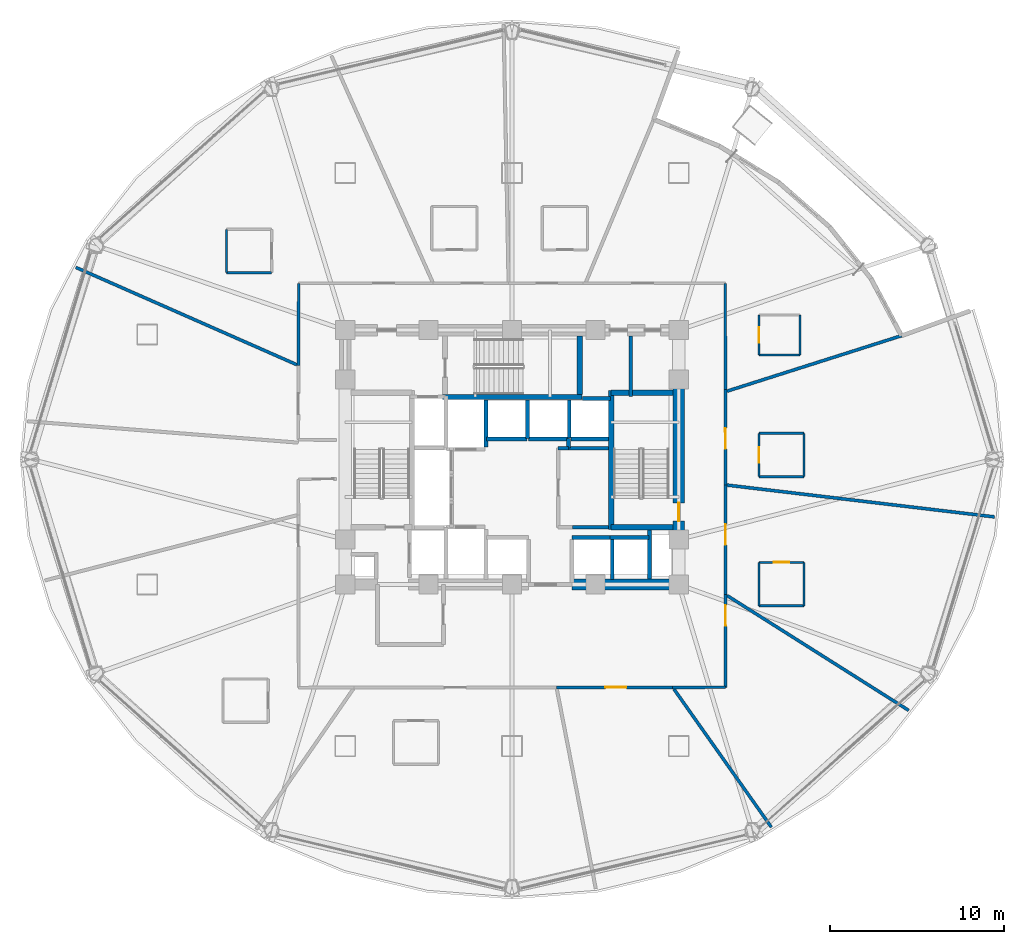
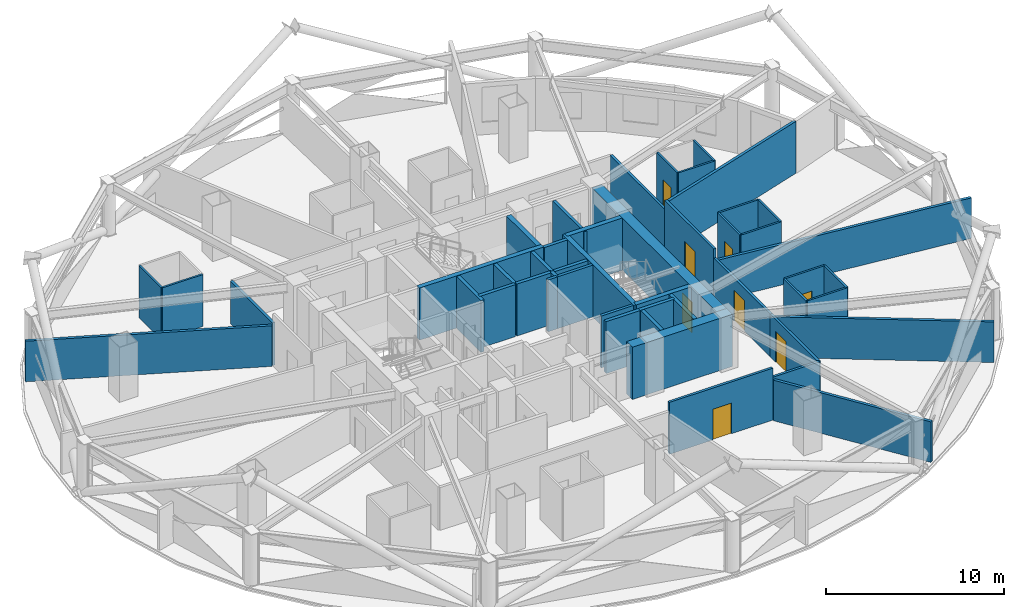
# One storey, part 26 of 33: 48 walls, 8 doors, 8 openings.
"""IFC4 building model written with IfcOpenShell, lengths in metres."""

from ifc_helpers import new_model, si_unit, direction, frame, frame_2d, origin, place, context, subcontext, project, spatial, rectangle, extrude, material, layer, layer_set, type_object, element, fill, save


model = new_model("IFC4")

# Units and contexts
model_context = context("Model", 3, precision=1e-05, world=origin(), true_north=direction((0.0, 1.0)))
body_context = subcontext(model_context, "Body", "Model", "MODEL_VIEW")
ifc_project = project(units=[si_unit("LENGTHUNIT", "METRE"), si_unit("AREAUNIT", "SQUARE_METRE"), si_unit("VOLUMEUNIT", "CUBIC_METRE"), si_unit("PLANEANGLEUNIT", "RADIAN"), si_unit("MASSUNIT", "GRAM", prefix="KILO")], contexts=[model_context])

# Site, building, storey
site_placement = place(None, origin())
site = spatial("IfcSite", under=ifc_project, at=site_placement, CompositionType="ELEMENT")
building_placement = place(site_placement, origin())
building = spatial("IfcBuilding", under=site, at=building_placement, Name="Vantalir Tower", CompositionType="ELEMENT")
storey_placement = place(building_placement, frame((0.0, 0.0, 72.0)))
storey = spatial("IfcBuildingStorey", under=building, at=storey_placement, Name="L17", CompositionType="ELEMENT", Elevation=72.0)

# Wall
ifc_material_1 = material(Name="Moisture-resistant en-suite partition", Category="gypsum")
ifc_layer_1 = layer(ifc_material_1, 0.125)
ifc_layer_set_1 = layer_set([ifc_layer_1], Name="Moisture-resistant en-suite partition")
wall_type_1 = type_object("IfcWallType", Name="WL-BATH-125", PredefinedType="PARTITIONING", material=ifc_layer_set_1)
wall_1_placement = place(storey_placement, frame((45.721923828125, 31.02392578125, 0.0), z_axis=(0.0, 0.0, 1.0), x_axis=(1.0, 0.0, 0.0)))
element("IfcWall", 1, at=wall_1_placement, inside=storey, type_object=wall_type_1, Name="L17 En-suite 01 South Wall", PredefinedType="PARTITIONING", context=body_context, shape_type="SweptSolid", body=[
    extrude(rectangle(XDim=2.35009765625, YDim=0.125, at=frame_2d((1.175048828125, 0.0))), origin(), (0.0, 0.0, 1.0), 3.550048828125),
])

# Wall, opening, door
wall_2_placement = place(storey_placement, frame((45.721923828125, 31.02392578125, 0.0), z_axis=(0.0, 0.0, 1.0), x_axis=(0.0, 1.0, 0.0)))
wall_2 = element("IfcWall", 2, at=wall_2_placement, inside=storey, type_object=wall_type_1, Name="L17 En-suite 01 West Wall", PredefinedType="PARTITIONING", context=body_context, shape_type="SweptSolid", body=[
    extrude(rectangle(XDim=2.300048828125, YDim=0.125, at=frame_2d((1.14990234375, 0.0))), origin(), (0.0, 0.0, 1.0), 3.550048828125),
])
opening_1_placement = place(wall_2_placement, frame((0.699951171875, 0.0, 0.0)))
opening_1 = element("IfcOpeningElement", 3, at=opening_1_placement, cuts=wall_2, Name="Opening D-WC", PredefinedType="OPENING", context=body_context, shape_type="SweptSolid", body=[
    extrude(rectangle(XDim=0.89990234375, YDim=2.10009765625, at=frame_2d((0.449951171875, 1.050048828125))), frame((0.0, 0.072509765625, 0.0), z_axis=(0.0, -1.0, 0.0), x_axis=(1.0, 0.0, 0.0)), (0.0, 0.0, 1.0), 0.14501953125),
])
ifc_material_2 = material(Name="Moisture-resistant hardwood door", Category="wood")
door_type_1 = type_object("IfcDoorType", Name="DR-ENSUITE-900", OperationType="NOTDEFINED", PredefinedType="DOOR", material=ifc_material_2)
door_1_placement = place(opening_1_placement, frame((0.89990234375, 0.0, 0.0), z_axis=(0.0, 0.0, 1.0), x_axis=(-1.0, 0.0, 0.0)))
door_1 = element("IfcDoor", 4, at=door_1_placement, inside=storey, type_object=door_type_1, Name="L17 En-suite 01 Door", OperationType="SINGLE_SWING_LEFT", OverallHeight=2.10009765625, OverallWidth=0.89990234375, PredefinedType="DOOR", context=body_context, shape_type="SweptSolid", body=[
    extrude(rectangle(XDim=0.89990234375, YDim=2.10009765625, at=frame_2d((0.449951171875, 1.050048828125))), frame((0.0, 0.02490234375, 0.0), z_axis=(0.0, -1.0, 0.0), x_axis=(1.0, 0.0, 0.0)), (0.0, 0.0, 1.0), 0.050048828125),
])
fill(opening_1, door_1)

# Walls
wall_3_placement = place(storey_placement, frame((48.072021484375, 31.02392578125, 0.0), z_axis=(0.0, 0.0, 1.0), x_axis=(0.0, 1.0, 0.0)))
element("IfcWall", 5, at=wall_3_placement, inside=storey, type_object=wall_type_1, Name="L17 En-suite 01 East Wall", PredefinedType="PARTITIONING", context=body_context, shape_type="SweptSolid", body=[
    extrude(rectangle(XDim=2.300048828125, YDim=0.125, at=frame_2d((1.14990234375, 0.0))), origin(), (0.0, 0.0, 1.0), 3.550048828125),
])
wall_4_placement = place(storey_placement, frame((15.06591796875, 35.7548828125, 0.0), z_axis=(0.0, 0.0, 1.0), x_axis=(1.0, 0.0, 0.0)))
element("IfcWall", 6, at=wall_4_placement, inside=storey, type_object=wall_type_1, Name="L17 En-suite 04 South Wall", PredefinedType="PARTITIONING", context=body_context, shape_type="SweptSolid", body=[
    extrude(rectangle(XDim=2.60009765625, YDim=0.125, at=frame_2d((1.300048828125, 0.0))), origin(), (0.0, 0.0, 1.0), 3.550048828125),
])
wall_5_placement = place(storey_placement, frame((15.06591796875, 35.7548828125, 0.0), z_axis=(0.0, 0.0, 1.0), x_axis=(0.0, 1.0, 0.0)))
element("IfcWall", 7, at=wall_5_placement, inside=storey, type_object=wall_type_1, Name="L17 En-suite 04 West Wall", PredefinedType="PARTITIONING", context=body_context, shape_type="SweptSolid", body=[
    extrude(rectangle(XDim=2.5, YDim=0.125, at=frame_2d((1.25, 0.0))), origin(), (0.0, 0.0, 1.0), 3.550048828125),
])
wall_6_placement = place(storey_placement, frame((45.7109375, 16.5791015625, 0.0), z_axis=(0.0, 0.0, 1.0), x_axis=(1.0, 0.0, 0.0)))
element("IfcWall", 8, at=wall_6_placement, inside=storey, type_object=wall_type_1, Name="L17 En-suite 11 South Wall", PredefinedType="PARTITIONING", context=body_context, shape_type="SweptSolid", body=[
    extrude(rectangle(XDim=2.60009765625, YDim=0.125, at=frame_2d((1.300048828125, 0.0))), origin(), (0.0, 0.0, 1.0), 3.550048828125),
])

# Wall, opening, door
wall_7_placement = place(storey_placement, frame((45.7109375, 19.0791015625, 0.0), z_axis=(0.0, 0.0, 1.0), x_axis=(1.0, 0.0, 0.0)))
wall_7 = element("IfcWall", 9, at=wall_7_placement, inside=storey, type_object=wall_type_1, Name="L17 En-suite 11 North Wall", PredefinedType="PARTITIONING", context=body_context, shape_type="SweptSolid", body=[
    extrude(rectangle(XDim=2.60009765625, YDim=0.125, at=frame_2d((1.300048828125, 0.0))), origin(), (0.0, 0.0, 1.0), 3.550048828125),
])
opening_2_placement = place(wall_7_placement, frame((0.85009765625, 0.0, 0.0)))
opening_2 = element("IfcOpeningElement", 10, at=opening_2_placement, cuts=wall_7, Name="Opening D-WC", PredefinedType="OPENING", context=body_context, shape_type="SweptSolid", body=[
    extrude(rectangle(XDim=0.89990234375, YDim=2.10009765625, at=frame_2d((0.449951171875, 1.050048828125))), frame((0.0, 0.072509765625, 0.0), z_axis=(0.0, -1.0, 0.0), x_axis=(1.0, 0.0, 0.0)), (0.0, 0.0, 1.0), 0.14501953125),
])
door_2_placement = place(opening_2_placement, frame((0.89990234375, 0.0, 0.0), z_axis=(0.0, 0.0, 1.0), x_axis=(-1.0, 0.0, 0.0)))
door_2 = element("IfcDoor", 11, at=door_2_placement, inside=storey, type_object=door_type_1, Name="L17 En-suite 11 Door", OperationType="SINGLE_SWING_LEFT", OverallHeight=2.10009765625, OverallWidth=0.89990234375, PredefinedType="DOOR", context=body_context, shape_type="SweptSolid", body=[
    extrude(rectangle(XDim=0.89990234375, YDim=2.10009765625, at=frame_2d((0.449951171875, 1.050048828125))), frame((0.0, 0.02490234375, 0.0), z_axis=(0.0, -1.0, 0.0), x_axis=(1.0, 0.0, 0.0)), (0.0, 0.0, 1.0), 0.050048828125),
])
fill(opening_2, door_2)

# Walls
for number, where, z_axis, x_axis, name in (
    (12, (45.7109375, 16.5791015625, 0.0), (0.0, 0.0, 1.0), (0.0, 1.0, 0.0), "L17 En-suite 11 West Wall"),
    (13, (48.31103515625, 16.5791015625, 0.0), (0.0, 0.0, 1.0), (0.0, 1.0, 0.0), "L17 En-suite 11 East Wall"),
):
    element("IfcWall", number, at=place(storey_placement, frame(where, z_axis=z_axis, x_axis=x_axis)), inside=storey, type_object=wall_type_1, Name=name, PredefinedType="PARTITIONING", context=body_context, shape_type="SweptSolid", body=[
        extrude(rectangle(XDim=2.5, YDim=0.125, at=frame_2d((1.25, 0.0))), origin(), (0.0, 0.0, 1.0), 3.550048828125),
    ])
for number, where, z_axis, x_axis, name in (
    (14, (45.717041015625, 24.010986328125, 0.0), (0.0, 0.0, 1.0), (1.0, 0.0, 0.0), "L17 En-suite 12 South Wall"),
    (15, (45.717041015625, 26.510986328125, 0.0), (0.0, 0.0, 1.0), (1.0, 0.0, 0.0), "L17 En-suite 12 North Wall"),
):
    element("IfcWall", number, at=place(storey_placement, frame(where, z_axis=z_axis, x_axis=x_axis)), inside=storey, type_object=wall_type_1, Name=name, PredefinedType="PARTITIONING", context=body_context, shape_type="SweptSolid", body=[
        extrude(rectangle(XDim=2.599853515625, YDim=0.125, at=frame_2d((1.2998046875, 0.0))), origin(), (0.0, 0.0, 1.0), 3.550048828125),
    ])

# Wall, opening, door
wall_8_placement = place(storey_placement, frame((45.717041015625, 24.010986328125, 0.0), z_axis=(0.0, 0.0, 1.0), x_axis=(0.0, 1.0, 0.0)))
wall_8 = element("IfcWall", 16, at=wall_8_placement, inside=storey, type_object=wall_type_1, Name="L17 En-suite 12 West Wall", PredefinedType="PARTITIONING", context=body_context, shape_type="SweptSolid", body=[
    extrude(rectangle(XDim=2.5, YDim=0.125, at=frame_2d((1.25, 0.0))), origin(), (0.0, 0.0, 1.0), 3.550048828125),
])
opening_3_placement = place(wall_8_placement, frame((0.800048828125, 0.0, 0.0)))
opening_3 = element("IfcOpeningElement", 17, at=opening_3_placement, cuts=wall_8, Name="Opening D-WC", PredefinedType="OPENING", context=body_context, shape_type="SweptSolid", body=[
    extrude(rectangle(XDim=0.89990234375, YDim=2.10009765625, at=frame_2d((0.449951171875, 1.050048828125))), frame((0.0, 0.072509765625, 0.0), z_axis=(0.0, -1.0, 0.0), x_axis=(1.0, 0.0, 0.0)), (0.0, 0.0, 1.0), 0.14501953125),
])
door_3_placement = place(opening_3_placement, frame((0.89990234375, 0.0, 0.0), z_axis=(0.0, 0.0, 1.0), x_axis=(-1.0, 0.0, 0.0)))
door_3 = element("IfcDoor", 18, at=door_3_placement, inside=storey, type_object=door_type_1, Name="L17 En-suite 12 Door", OperationType="SINGLE_SWING_RIGHT", OverallHeight=2.10009765625, OverallWidth=0.89990234375, PredefinedType="DOOR", context=body_context, shape_type="SweptSolid", body=[
    extrude(rectangle(XDim=0.89990234375, YDim=2.10009765625, at=frame_2d((0.449951171875, 1.050048828125))), frame((0.0, 0.02490234375, 0.0), z_axis=(0.0, -1.0, 0.0), x_axis=(1.0, 0.0, 0.0)), (0.0, 0.0, 1.0), 0.050048828125),
])
fill(opening_3, door_3)

# Walls
wall_9_placement = place(storey_placement, frame((48.31689453125, 24.010986328125, 0.0), z_axis=(0.0, 0.0, 1.0), x_axis=(0.0, 1.0, 0.0)))
element("IfcWall", 19, at=wall_9_placement, inside=storey, type_object=wall_type_1, Name="L17 En-suite 12 East Wall", PredefinedType="PARTITIONING", context=body_context, shape_type="SweptSolid", body=[
    extrude(rectangle(XDim=2.5, YDim=0.125, at=frame_2d((1.25, 0.0))), origin(), (0.0, 0.0, 1.0), 3.550048828125),
])
ifc_material_3 = material(Name="Concrete C60/75", Category="concrete")
ifc_layer_2 = layer(ifc_material_3, 0.64990234375)
ifc_layer_set_2 = layer_set([ifc_layer_2], Name="Concrete C60/75")
wall_type_2 = type_object("IfcWallType", Name="WL-CORE-650", PredefinedType="SHEAR", material=ifc_layer_set_2)
wall_10_placement = place(storey_placement, frame((34.949951171875, 17.800048828125, 0.0), z_axis=(0.0, 0.0, 1.0), x_axis=(1.0, 0.0, 0.0)))
element("IfcWall", 20, at=wall_10_placement, inside=storey, type_object=wall_type_2, Name="L17 Core Shear Wall South-East", PredefinedType="SHEAR", context=body_context, shape_type="SweptSolid", body=[
    extrude(rectangle(XDim=6.47509765625, YDim=0.64990234375, at=frame_2d((3.237548828125, 0.0))), origin(), (0.0, 0.0, 1.0), 3.570068359375),
])

# Wall, opening, door
wall_11_placement = place(storey_placement, frame((41.10009765625, 18.125, 0.0), z_axis=(0.0, 0.0, 1.0), x_axis=(0.0, 1.0, 0.0)))
wall_11 = element("IfcWall", 21, at=wall_11_placement, inside=storey, type_object=wall_type_2, Name="L17 Core Shear Wall East", PredefinedType="SHEAR", context=body_context, shape_type="SweptSolid", body=[
    extrude(rectangle(XDim=14.0, YDim=0.64990234375, at=frame_2d((7.0, 0.0))), origin(), (0.0, 0.0, 1.0), 3.570068359375),
])
opening_4_placement = place(wall_11_placement, frame((3.3349609375, 0.0, 0.0)))
opening_4 = element("IfcOpeningElement", 22, at=opening_4_placement, cuts=wall_11, Name="Opening D-ST", PredefinedType="OPENING", context=body_context, shape_type="SweptSolid", body=[
    extrude(rectangle(XDim=1.050048828125, YDim=2.10009765625, at=frame_2d((0.52490234375, 1.050048828125))), frame((0.0, 0.3349609375, 0.0), z_axis=(0.0, -1.0, 0.0), x_axis=(1.0, 0.0, 0.0)), (0.0, 0.0, 1.0), 0.669921875),
])
ifc_material_4 = material(Name="Fire-rated steel door leaf", Category="steel")
door_type_2 = type_object("IfcDoorType", Name="DR-FIRE-STAIR-1050", OperationType="NOTDEFINED", PredefinedType="DOOR", material=ifc_material_4)
door_4_placement = place(opening_4_placement, origin())
door_4 = element("IfcDoor", 23, at=door_4_placement, inside=storey, type_object=door_type_2, Name="L17 Exit Stair ST2 Fire Door", OperationType="SINGLE_SWING_LEFT", OverallHeight=2.10009765625, OverallWidth=1.050048828125, PredefinedType="DOOR", context=body_context, shape_type="SweptSolid", body=[
    extrude(rectangle(XDim=1.050048828125, YDim=2.10009765625, at=frame_2d((0.52490234375, 1.050048828125))), frame((0.0, 0.02490234375, 0.0), z_axis=(0.0, -1.0, 0.0), x_axis=(1.0, 0.0, 0.0)), (0.0, 0.0, 1.0), 0.050048828125),
])
fill(opening_4, door_4)

# Walls
ifc_material_5 = material(Name="Fire-rated hotel corridor acoustic partition", Category="gypsum")
ifc_layer_3 = layer(ifc_material_5, 0.159912109375)
ifc_layer_set_3 = layer_set([ifc_layer_3], Name="Fire-rated hotel corridor acoustic partition")
wall_type_3 = type_object("IfcWallType", Name="WL-CORR-160", PredefinedType="PARTITIONING", material=ifc_layer_set_3)
wall_12_placement = place(storey_placement, frame((19.2080078125, 30.4150390625, 0.0), z_axis=(0.0, 0.0, 1.0), x_axis=(0.002321256513, 0.99999730588, 0.0)))
element("IfcWall", 24, at=wall_12_placement, inside=storey, type_object=wall_type_3, Name="L17 Corridor Partition 03", PredefinedType="PARTITIONING", context=body_context, shape_type="SweptSolid", body=[
    extrude(rectangle(XDim=4.73291015625, YDim=0.159912109375, at=frame_2d((2.366455078125, 0.0))), origin(), (0.0, 0.0, 1.0), 2.927978515625),
])
wall_13_placement = place(storey_placement, frame((43.781005859375, 35.14794921875, 0.0), z_axis=(0.0, 0.0, 1.0), x_axis=(0.000799296364, -0.999999680563, 0.0)))
element("IfcWall", 25, at=wall_13_placement, inside=storey, type_object=wall_type_3, Name="L17 Corridor Partition 08", PredefinedType="PARTITIONING", context=body_context, shape_type="SweptSolid", body=[
    extrude(rectangle(XDim=6.10888671875, YDim=0.159912109375, at=frame_2d((3.054443359375, 0.0))), origin(), (0.0, 0.0, 1.0), 2.927978515625),
])

# Wall, opening, door
wall_14_placement = place(storey_placement, frame((43.785888671875, 29.0390625, 0.0), z_axis=(0.0, 0.0, 1.0), x_axis=(0.000754616262, -0.999999715277, 0.0)))
wall_14 = element("IfcWall", 26, at=wall_14_placement, inside=storey, type_object=wall_type_3, Name="L17 Corridor Partition 09", PredefinedType="PARTITIONING", context=body_context, shape_type="SweptSolid", body=[
    extrude(rectangle(XDim=5.5, YDim=0.159912109375, at=frame_2d((2.75, 0.0))), origin(), (0.0, 0.0, 1.0), 3.550048828125),
])
opening_5_placement = place(wall_14_placement, frame((2.22412109375, 0.0, 0.0)))
opening_5 = element("IfcOpeningElement", 27, at=opening_5_placement, cuts=wall_14, Name="Opening D-STE", PredefinedType="OPENING", context=body_context, shape_type="SweptSolid", body=[
    extrude(rectangle(XDim=1.199951171875, YDim=2.10009765625, at=frame_2d((0.60009765625, 1.050048828125))), frame((0.0, 0.08984375, 0.0), z_axis=(0.0, -1.0, 0.0), x_axis=(1.0, 0.0, 0.0)), (0.0, 0.0, 1.0), 0.179931640625),
])
ifc_material_6 = material(Name="Solid-core teak veneer suite entrance door", Category="wood")
door_type_3 = type_object("IfcDoorType", Name="DR-SUITE-ENTRY-1200", OperationType="NOTDEFINED", PredefinedType="DOOR", material=ifc_material_6)
door_5_placement = place(opening_5_placement, origin())
door_5 = element("IfcDoor", 28, at=door_5_placement, inside=storey, type_object=door_type_3, Name="L17 Corner Panorama Hotel Suite 12 Door", OperationType="SINGLE_SWING_RIGHT", OverallHeight=2.10009765625, OverallWidth=1.199951171875, PredefinedType="DOOR", context=body_context, shape_type="SweptSolid", body=[
    extrude(rectangle(XDim=1.199951171875, YDim=2.10009765625, at=frame_2d((0.60009765625, 1.050048828125))), frame((0.0, 0.02490234375, 0.0), z_axis=(0.0, -1.0, 0.0), x_axis=(1.0, 0.0, 0.0)), (0.0, 0.0, 1.0), 0.050048828125),
])
fill(opening_5, door_5)

wall_15_placement = place(storey_placement, frame((43.7900390625, 23.5390625, 0.0), z_axis=(0.0, 0.0, 1.0), x_axis=(0.000618668198, -0.999999808625, 0.0)))
wall_15 = element("IfcWall", 29, at=wall_15_placement, inside=storey, type_object=wall_type_3, Name="L17 Corridor Partition 10", PredefinedType="PARTITIONING", context=body_context, shape_type="SweptSolid", body=[
    extrude(rectangle(XDim=6.31396484375, YDim=0.159912109375, at=frame_2d((3.156982421875, 0.0))), origin(), (0.0, 0.0, 1.0), 2.927978515625),
])
opening_6_placement = place(wall_15_placement, frame((2.257080078125, 0.0, 0.0)))
opening_6 = element("IfcOpeningElement", 30, at=opening_6_placement, cuts=wall_15, Name="Opening D-STE", PredefinedType="OPENING", context=body_context, shape_type="SweptSolid", body=[
    extrude(rectangle(XDim=1.199951171875, YDim=2.10009765625, at=frame_2d((0.60009765625, 1.050048828125))), frame((0.0, 0.08984375, 0.0), z_axis=(0.0, -1.0, 0.0), x_axis=(1.0, 0.0, 0.0)), (0.0, 0.0, 1.0), 0.179931640625),
])
door_6_placement = place(opening_6_placement, origin())
door_6 = element("IfcDoor", 31, at=door_6_placement, inside=storey, type_object=door_type_3, Name="L17 Corner Panorama Hotel Suite 11 Door", OperationType="SINGLE_SWING_LEFT", OverallHeight=2.10009765625, OverallWidth=1.199951171875, PredefinedType="DOOR", context=body_context, shape_type="SweptSolid", body=[
    extrude(rectangle(XDim=1.199951171875, YDim=2.10009765625, at=frame_2d((0.60009765625, 1.050048828125))), frame((0.0, 0.02490234375, 0.0), z_axis=(0.0, -1.0, 0.0), x_axis=(1.0, 0.0, 0.0)), (0.0, 0.0, 1.0), 0.050048828125),
])
fill(opening_6, door_6)

wall_16_placement = place(storey_placement, frame((43.7939453125, 17.22509765625, 0.0), z_axis=(0.0, 0.0, 1.0), x_axis=(0.000777071576, -0.99999969808, 0.0)))
wall_16 = element("IfcWall", 32, at=wall_16_placement, inside=storey, type_object=wall_type_3, Name="L17 Corridor Partition 11", PredefinedType="PARTITIONING", context=body_context, shape_type="SweptSolid", body=[
    extrude(rectangle(XDim=5.341064453125, YDim=0.159912109375, at=frame_2d((2.67041015625, 0.0))), origin(), (0.0, 0.0, 1.0), 2.927978515625),
])
opening_7_placement = place(wall_16_placement, frame((0.60107421875, 0.0, 0.0)))
opening_7 = element("IfcOpeningElement", 33, at=opening_7_placement, cuts=wall_16, Name="Opening D-STE", PredefinedType="OPENING", context=body_context, shape_type="SweptSolid", body=[
    extrude(rectangle(XDim=1.199951171875, YDim=2.10009765625, at=frame_2d((0.60009765625, 1.050048828125))), frame((0.0, 0.08984375, 0.0), z_axis=(0.0, -1.0, 0.0), x_axis=(1.0, 0.0, 0.0)), (0.0, 0.0, 1.0), 0.179931640625),
])
door_7_placement = place(opening_7_placement, origin())
door_7 = element("IfcDoor", 34, at=door_7_placement, inside=storey, type_object=door_type_3, Name="L17 Executive Sky Boardroom 10 Door", OperationType="SINGLE_SWING_RIGHT", OverallHeight=2.10009765625, OverallWidth=1.199951171875, PredefinedType="DOOR", context=body_context, shape_type="SweptSolid", body=[
    extrude(rectangle(XDim=1.199951171875, YDim=2.10009765625, at=frame_2d((0.60009765625, 1.050048828125))), frame((0.0, 0.02490234375, 0.0), z_axis=(0.0, -1.0, 0.0), x_axis=(1.0, 0.0, 0.0)), (0.0, 0.0, 1.0), 0.050048828125),
])
fill(opening_7, door_7)

# Wall
wall_17_placement = place(storey_placement, frame((43.798095703125, 11.884033203125, 0.0), z_axis=(0.0, 0.0, 1.0), x_axis=(-0.999999794312, -0.000641385261, 0.0)))
element("IfcWall", 35, at=wall_17_placement, inside=storey, type_object=wall_type_3, Name="L17 Corridor Partition 12", PredefinedType="PARTITIONING", context=body_context, shape_type="SweptSolid", body=[
    extrude(rectangle(XDim=3.045166015625, YDim=0.159912109375, at=frame_2d((1.5224609375, 0.0))), origin(), (0.0, 0.0, 1.0), 2.927978515625),
])

# Wall, opening, door
wall_18_placement = place(storey_placement, frame((40.7529296875, 11.882080078125, 0.0), z_axis=(0.0, 0.0, 1.0), x_axis=(-0.999999706426, -0.00076625534, 0.0)))
wall_18 = element("IfcWall", 36, at=wall_18_placement, inside=storey, type_object=wall_type_3, Name="L17 Corridor Partition 13", PredefinedType="PARTITIONING", context=body_context, shape_type="SweptSolid", body=[
    extrude(rectangle(XDim=6.69091796875, YDim=0.159912109375, at=frame_2d((3.345458984375, 0.0))), origin(), (0.0, 0.0, 1.0), 3.550048828125),
])
opening_8_placement = place(wall_18_placement, frame((2.672119140625, 0.0, 0.0)))
opening_8 = element("IfcOpeningElement", 37, at=opening_8_placement, cuts=wall_18, Name="Opening D-STE", PredefinedType="OPENING", context=body_context, shape_type="SweptSolid", body=[
    extrude(rectangle(XDim=1.199951171875, YDim=2.10009765625, at=frame_2d((0.60009765625, 1.050048828125))), frame((0.0, 0.08984375, 0.0), z_axis=(0.0, -1.0, 0.0), x_axis=(1.0, 0.0, 0.0)), (0.0, 0.0, 1.0), 0.179931640625),
])
door_8_placement = place(opening_8_placement, origin())
door_8 = element("IfcDoor", 38, at=door_8_placement, inside=storey, type_object=door_type_3, Name="L17 Executive Sky Boardroom 09 Door", OperationType="SINGLE_SWING_LEFT", OverallHeight=2.10009765625, OverallWidth=1.199951171875, PredefinedType="DOOR", context=body_context, shape_type="SweptSolid", body=[
    extrude(rectangle(XDim=1.199951171875, YDim=2.10009765625, at=frame_2d((0.60009765625, 1.050048828125))), frame((0.0, 0.02490234375, 0.0), z_axis=(0.0, -1.0, 0.0), x_axis=(1.0, 0.0, 0.0)), (0.0, 0.0, 1.0), 0.050048828125),
])
fill(opening_8, door_8)

# Walls
ifc_material_7 = material(Name="Concrete blockwork with fireboard lining", Category="masonry")
ifc_layer_4 = layer(ifc_material_7, 0.219970703125)
ifc_layer_set_4 = layer_set([ifc_layer_4], Name="Concrete blockwork with fireboard lining")
wall_type_4 = type_object("IfcWallType", Name="WL-FFL-220", PredefinedType="PARTITIONING", material=ifc_layer_set_4)
wall_19_placement = place(storey_placement, frame((37.27490234375, 18.080078125, 0.0), z_axis=(0.0, 0.0, 1.0), x_axis=(0.0, 1.0, 0.0)))
element("IfcWall", 39, at=wall_19_placement, inside=storey, type_object=wall_type_4, Name="L17 Shuttle Lift PL-X2/X3 Shaft Divider", PredefinedType="PARTITIONING", context=body_context, shape_type="SweptSolid", body=[
    extrude(rectangle(XDim=2.309814453125, YDim=0.219970703125, at=frame_2d((1.15478515625, 0.0))), origin(), (0.0, 0.0, 1.0), 3.544921875),
])
wall_20_placement = place(storey_placement, frame((30.0, 25.7099609375, 0.0), z_axis=(0.0, 0.0, 1.0), x_axis=(0.0, 1.0, 0.0)))
element("IfcWall", 40, at=wall_20_placement, inside=storey, type_object=wall_type_4, Name="L17 Service Lift SV2 East Shaft Wall", PredefinedType="PARTITIONING", context=body_context, shape_type="SweptSolid", body=[
    extrude(rectangle(XDim=2.72998046875, YDim=0.219970703125, at=frame_2d((1.364990234375, 0.0))), origin(), (0.0, 0.0, 1.0), 3.544921875),
])
wall_21_placement = place(storey_placement, frame((32.39990234375, 26.199951171875, 0.0), z_axis=(0.0, 0.0, 1.0), x_axis=(0.0, 1.0, 0.0)))
element("IfcWall", 41, at=wall_21_placement, inside=storey, type_object=wall_type_4, Name="L17 High-Rise Lift PL-H1/H2 Shaft Divider", PredefinedType="PARTITIONING", context=body_context, shape_type="SweptSolid", body=[
    extrude(rectangle(XDim=2.239990234375, YDim=0.219970703125, at=frame_2d((1.1201171875, 0.0))), origin(), (0.0, 0.0, 1.0), 3.544921875),
])
wall_22_placement = place(storey_placement, frame((34.800048828125, 26.22998046875, 0.0), z_axis=(0.0, 0.0, 1.0), x_axis=(0.0, 1.0, 0.0)))
element("IfcWall", 42, at=wall_22_placement, inside=storey, type_object=wall_type_4, Name="L17 High-Rise Lift PL-H2/H3 Shaft Divider", PredefinedType="PARTITIONING", context=body_context, shape_type="SweptSolid", body=[
    extrude(rectangle(XDim=2.2099609375, YDim=0.219970703125, at=frame_2d((1.10498046875, 0.0))), origin(), (0.0, 0.0, 1.0), 3.544921875),
])
wall_23_placement = place(storey_placement, frame((34.909912109375, 26.18994140625, 0.0), z_axis=(0.0, 0.0, 1.0), x_axis=(1.0, 0.0, 0.0)))
element("IfcWall", 43, at=wall_23_placement, inside=storey, type_object=wall_type_4, Name="L17 High-Rise Lift PL-H3 Rear Shaft Wall", PredefinedType="PARTITIONING", context=body_context, shape_type="SweptSolid", body=[
    extrude(rectangle(XDim=2.14013671875, YDim=0.219970703125, at=frame_2d((1.070068359375, 0.0))), origin(), (0.0, 0.0, 1.0), 3.544921875),
])
wall_24_placement = place(storey_placement, frame((39.419921875, 18.125, 0.0), z_axis=(0.0, 0.0, 1.0), x_axis=(0.0, 1.0, 0.0)))
element("IfcWall", 44, at=wall_24_placement, inside=storey, type_object=wall_type_4, Name="L17 East MEP Riser Wall W", PredefinedType="PARTITIONING", context=body_context, shape_type="SweptSolid", body=[
    extrude(rectangle(XDim=2.824951171875, YDim=0.219970703125, at=frame_2d((1.41259765625, 0.0))), origin(), (0.0, 0.0, 1.0), 3.550048828125),
])
for number, where, z_axis, x_axis, name in (
    (45, (37.139892578125, 20.510009765625, 0.0), (0.0, 0.0, 1.0), (1.0, 0.0, 0.0), "L17 Lift PL-X2 Shaft Rear Wall"),
    (46, (34.93994140625, 20.510009765625, 0.0), (0.0, 0.0, 1.0), (1.0, 0.0, 0.0), "L17 Lift PL-X3 Shaft Front Wall"),
):
    element("IfcWall", number, at=place(storey_placement, frame(where, z_axis=z_axis, x_axis=x_axis)), inside=storey, type_object=wall_type_4, Name=name, PredefinedType="PARTITIONING", context=body_context, shape_type="SweptSolid", body=[
        extrude(rectangle(XDim=2.239990234375, YDim=0.219970703125, at=frame_2d((1.1201171875, 0.0))), origin(), (0.0, 0.0, 1.0), 3.550048828125),
    ])
for number, where, z_axis, x_axis, name in (
    (47, (30.0400390625, 26.18994140625, 0.0), (0.0, 0.0, 1.0), (1.0, 0.0, 0.0), "L17 Lift PL-H1 Shaft Front Wall"),
    (48, (32.43994140625, 26.18994140625, 0.0), (0.0, 0.0, 1.0), (1.0, 0.0, 0.0), "L17 Lift PL-H2 Shaft Front Wall"),
):
    element("IfcWall", number, at=place(storey_placement, frame(where, z_axis=z_axis, x_axis=x_axis)), inside=storey, type_object=wall_type_4, Name=name, PredefinedType="PARTITIONING", context=body_context, shape_type="SweptSolid", body=[
        extrude(rectangle(XDim=2.320068359375, YDim=0.219970703125, at=frame_2d((1.16015625, 0.0))), origin(), (0.0, 0.0, 1.0), 3.550048828125),
    ])
wall_25_placement = place(storey_placement, frame((35.56005859375, 28.510009765625, 0.0), z_axis=(0.0, 0.0, 1.0), x_axis=(1.0, 0.0, 0.0)))
element("IfcWall", 49, at=wall_25_placement, inside=storey, type_object=wall_type_4, Name="L17 Lift PL-H3 Shaft Front Wall", PredefinedType="PARTITIONING", context=body_context, shape_type="SweptSolid", body=[
    extrude(rectangle(XDim=1.599853515625, YDim=0.219970703125, at=frame_2d((0.7998046875, 0.0))), origin(), (0.0, 0.0, 1.0), 3.550048828125),
])
wall_26_placement = place(storey_placement, frame((34.760009765625, 25.64990234375, 0.0), z_axis=(0.0, 0.0, 1.0), x_axis=(0.0, 1.0, 0.0)))
element("IfcWall", 50, at=wall_26_placement, inside=storey, type_object=wall_type_4, Name="L17 High-Rise Shaft Shoulder Wall", PredefinedType="PARTITIONING", context=body_context, shape_type="SweptSolid", body=[
    extrude(rectangle(XDim=0.570068359375, YDim=0.219970703125, at=frame_2d((0.28515625, 0.0))), origin(), (0.0, 0.0, 1.0), 3.550048828125),
])
ifc_material_8 = material(Name="Twin-stud acoustic fire-rated gypsum partition", Category="gypsum")
ifc_layer_5 = layer(ifc_material_8, 0.179931640625)
ifc_layer_set_5 = layer_set([ifc_layer_5], Name="Twin-stud acoustic fire-rated gypsum partition")
wall_type_5 = type_object("IfcWallType", Name="WL-GUEST-180", PredefinedType="PARTITIONING", material=ifc_layer_set_5)
wall_27_placement = place(storey_placement, frame((34.97998046875, 21.10009765625, 0.0), z_axis=(0.0, 0.0, 1.0), x_axis=(1.0, 0.0, 0.0)))
element("IfcWall", 51, at=wall_27_placement, inside=storey, type_object=wall_type_5, Name="L17 Freed East Core South Wall", PredefinedType="PARTITIONING", context=body_context, shape_type="SweptSolid", body=[
    extrude(rectangle(XDim=2.080078125, YDim=0.179931640625, at=frame_2d((1.0400390625, 0.0))), origin(), (0.0, 0.0, 1.0), 3.550048828125),
])
wall_28_placement = place(storey_placement, frame((34.719970703125, 25.64990234375, 0.0), z_axis=(0.0, 0.0, 1.0), x_axis=(1.0, 0.0, 0.0)))
element("IfcWall", 52, at=wall_28_placement, inside=storey, type_object=wall_type_5, Name="L17 Freed East Core North Wall", PredefinedType="PARTITIONING", context=body_context, shape_type="SweptSolid", body=[
    extrude(rectangle(XDim=2.340087890625, YDim=0.179931640625, at=frame_2d((1.169921875, 0.0))), origin(), (0.0, 0.0, 1.0), 3.550048828125),
])
wall_29_placement = place(storey_placement, frame((34.159912109375, 25.64990234375, 0.0), z_axis=(0.0, 0.0, 1.0), x_axis=(1.0, 0.0, 0.0)))
element("IfcWall", 53, at=wall_29_placement, inside=storey, type_object=wall_type_5, Name="L17 East IT Room North Return", PredefinedType="PARTITIONING", context=body_context, shape_type="SweptSolid", body=[
    extrude(rectangle(XDim=0.60009765625, YDim=0.179931640625, at=frame_2d((0.300048828125, 0.0))), origin(), (0.0, 0.0, 1.0), 3.550048828125),
])
wall_30_placement = place(storey_placement, frame((38.340087890625, 28.6201171875, 0.0), z_axis=(0.0, 0.0, 1.0), x_axis=(0.0, 1.0, 0.0)))
element("IfcWall", 54, at=wall_30_placement, inside=storey, type_object=wall_type_5, Name="L17 High-Rise Lift Lobby East Wall", PredefinedType="PARTITIONING", context=body_context, shape_type="SweptSolid", body=[
    extrude(rectangle(XDim=3.5048828125, YDim=0.179931640625, at=frame_2d((1.75244140625, 0.0))), origin(), (0.0, 0.0, 1.0), 3.550048828125),
])
wall_31_placement = place(storey_placement, frame((43.8779296875, 28.93408203125, 0.0), z_axis=(0.0, 0.0, 1.0), x_axis=(0.95299755794, 0.302977977021, 0.0)))
element("IfcWall", 55, at=wall_31_placement, inside=storey, type_object=wall_type_5, Name="L17 Radial Suite Partition 01", PredefinedType="PARTITIONING", context=body_context, shape_type="SweptSolid", body=[
    extrude(rectangle(XDim=10.538330078125, YDim=0.179931640625, at=frame_2d((5.26904296875, 0.0))), origin(), (0.0, 0.0, 1.0), 3.550048828125),
])
wall_32_placement = place(storey_placement, frame((19.123046875, 30.452880859375, 0.0), z_axis=(0.0, 0.0, 1.0), x_axis=(-0.915167724462, 0.403073239131, 0.0)))
element("IfcWall", 56, at=wall_32_placement, inside=storey, type_object=wall_type_5, Name="L17 Radial Suite Partition 05", PredefinedType="PARTITIONING", context=body_context, shape_type="SweptSolid", body=[
    extrude(rectangle(XDim=13.9111328125, YDim=0.179931640625, at=frame_2d((6.95556640625, 0.0))), origin(), (0.0, 0.0, 1.0), 2.77490234375),
])
wall_33_placement = place(storey_placement, frame((40.820068359375, 11.7880859375, 0.0), z_axis=(0.0, 0.0, 1.0), x_axis=(0.576393717645, -0.817172125234, 0.0)))
element("IfcWall", 57, at=wall_33_placement, inside=storey, type_object=wall_type_5, Name="L17 Radial Suite Partition 10", PredefinedType="PARTITIONING", context=body_context, shape_type="SweptSolid", body=[
    extrude(rectangle(XDim=9.736083984375, YDim=0.179931640625, at=frame_2d((4.8681640625, 0.0))), origin(), (0.0, 0.0, 1.0), 2.77490234375),
])
wall_34_placement = place(storey_placement, frame((43.8779296875, 17.172119140625, 0.0), z_axis=(0.0, 0.0, 1.0), x_axis=(0.845177570146, -0.534485617132, 0.0)))
element("IfcWall", 58, at=wall_34_placement, inside=storey, type_object=wall_type_5, Name="L17 Radial Suite Partition 11", PredefinedType="PARTITIONING", context=body_context, shape_type="SweptSolid", body=[
    extrude(rectangle(XDim=12.378662109375, YDim=0.179931640625, at=frame_2d((6.189453125, 0.0))), origin(), (0.0, 0.0, 1.0), 2.77490234375),
])
wall_35_placement = place(storey_placement, frame((43.8779296875, 23.528076171875, 0.0), z_axis=(0.0, 0.0, 1.0), x_axis=(0.993003667009, -0.118083518354, 0.0)))
element("IfcWall", 59, at=wall_35_placement, inside=storey, type_object=wall_type_5, Name="L17 Radial Suite Partition 12", PredefinedType="PARTITIONING", context=body_context, shape_type="SweptSolid", body=[
    extrude(rectangle(XDim=15.50634765625, YDim=0.179931640625, at=frame_2d((7.753173828125, 0.0))), origin(), (0.0, 0.0, 1.0), 2.77490234375),
])
ifc_material_9 = material(Name="Concrete C50/60", Category="concrete")
ifc_layer_6 = layer(ifc_material_9, 0.300048828125)
ifc_layer_set_6 = layer_set([ifc_layer_6], Name="Concrete C50/60")
wall_type_6 = type_object("IfcWallType", Name="WL-STAIR-300", PredefinedType="SHEAR", material=ifc_layer_set_6)
for number, where, z_axis, x_axis, name in (
    (60, (37.2099609375, 21.10009765625, 0.0), (0.0, 0.0, 1.0), (1.0, 0.0, 0.0), "L17 Stair ST2 South Wall"),
    (61, (37.2099609375, 28.85009765625, 0.0), (0.0, 0.0, 1.0), (1.0, 0.0, 0.0), "L17 Stair ST2 North Wall"),
):
    element("IfcWall", number, at=place(storey_placement, frame(where, z_axis=z_axis, x_axis=x_axis)), inside=storey, type_object=wall_type_6, Name=name, PredefinedType="SHEAR", context=body_context, shape_type="SweptSolid", body=[
        extrude(rectangle(XDim=3.56494140625, YDim=0.300048828125, at=frame_2d((1.782470703125, 0.0))), origin(), (0.0, 0.0, 1.0), 3.570068359375),
    ])
wall_36_placement = place(storey_placement, frame((37.2099609375, 20.97998046875, 0.0), z_axis=(0.0, 0.0, 1.0), x_axis=(0.0, 1.0, 0.0)))
element("IfcWall", 62, at=wall_36_placement, inside=storey, type_object=wall_type_6, Name="L17 Stair ST2 West Wall", PredefinedType="SHEAR", context=body_context, shape_type="SweptSolid", body=[
    extrude(rectangle(XDim=7.989990234375, YDim=0.300048828125, at=frame_2d((3.9951171875, 0.0))), origin(), (0.0, 0.0, 1.0), 3.570068359375),
])
wall_37_placement = place(storey_placement, frame((27.510009765625, 28.60009765625, 0.0), z_axis=(0.0, 0.0, 1.0), x_axis=(1.0, 0.0, 0.0)))
element("IfcWall", 63, at=wall_37_placement, inside=storey, type_object=wall_type_6, Name="L17 Stair ST3 South Wall", PredefinedType="SHEAR", context=body_context, shape_type="SweptSolid", body=[
    extrude(rectangle(XDim=8.030029296875, YDim=0.300048828125, at=frame_2d((4.01513671875, 0.0))), origin(), (0.0, 0.0, 1.0), 3.570068359375),
])
wall_38_placement = place(storey_placement, frame((35.39990234375, 28.75, 0.0), z_axis=(0.0, 0.0, 1.0), x_axis=(0.0, 1.0, 0.0)))
element("IfcWall", 64, at=wall_38_placement, inside=storey, type_object=wall_type_6, Name="L17 Stair ST3 East Wall", PredefinedType="SHEAR", context=body_context, shape_type="SweptSolid", body=[
    extrude(rectangle(XDim=3.375, YDim=0.300048828125, at=frame_2d((1.6875, 0.0))), origin(), (0.0, 0.0, 1.0), 3.570068359375),
])

save(model, "model.ifc")
